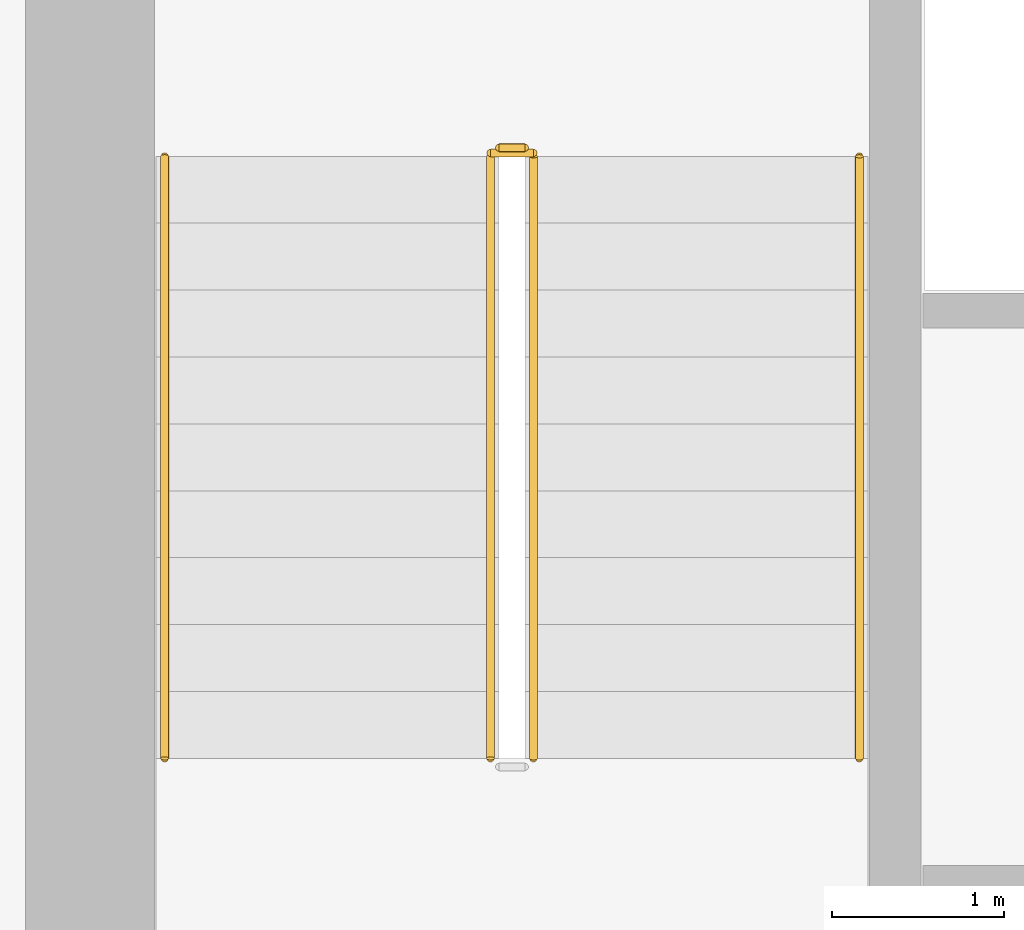
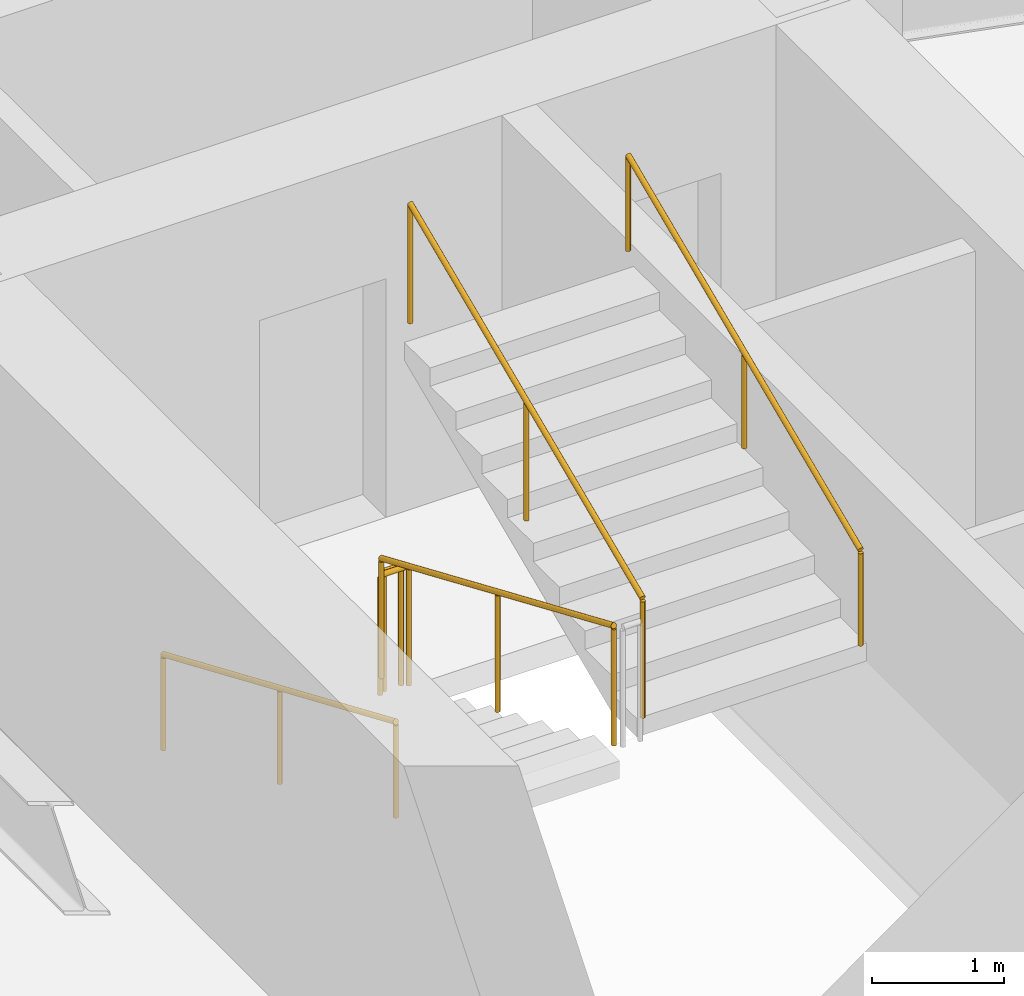
# One storey, part 36 of 39: 6 railings.
"""IFC4 building model written with IfcOpenShell, lengths in metres."""

from ifc_helpers import new_model, si_unit, direction, frame, origin, origin_2d, place, context, subcontext, project, spatial, circle, extrude, material, layer, layer_set, type_object, element, save


model = new_model("IFC4")

# Units and contexts
model_context = context("Model", 3, precision=1e-05, world=origin(), true_north=direction((0.0, 1.0)))
body_context = subcontext(model_context, "Body", "Model", "MODEL_VIEW")
ifc_project = project(units=[si_unit("LENGTHUNIT", "METRE"), si_unit("AREAUNIT", "SQUARE_METRE"), si_unit("VOLUMEUNIT", "CUBIC_METRE"), si_unit("PLANEANGLEUNIT", "RADIAN"), si_unit("MASSUNIT", "GRAM", prefix="KILO")], contexts=[model_context])

# Site, building, storey
site_placement = place(None, origin())
site = spatial("IfcSite", under=ifc_project, at=site_placement, CompositionType="ELEMENT")
building_placement = place(site_placement, origin())
building = spatial("IfcBuilding", under=site, at=building_placement, Name="Hatsunagi Terrace Concourse", CompositionType="ELEMENT")
storey_placement = place(building_placement, frame((0.0, 0.0, 66.75)))
storey = spatial("IfcBuildingStorey", under=building, at=storey_placement, Name="L17", CompositionType="ELEMENT", Elevation=66.75)

# Railings
ifc_material_1 = material(Name="Stainless steel", Category="steel")
ifc_layer_1 = layer(ifc_material_1, 0.044921875)
ifc_layer_set_1 = layer_set([ifc_layer_1], Name="StairPitchHandrail_Tower2000")
railing_type_1 = type_object("IfcRailingType", Name="StairPitchHandrail_Tower2000", PredefinedType="HANDRAIL", material=ifc_layer_set_1)
railing_1_placement = place(storey_placement, frame((36.550048828125, 32.659912109375, 0.16748046875)))
element("IfcRailing", 1, at=railing_1_placement, inside=storey, type_object=railing_type_1, Name="L17 ST-B stair handrail 1", PredefinedType="HANDRAIL", context=body_context, shape_type="SweptSolid", body=[
    extrude(circle(Radius=0.02392578125, at=origin_2d()), frame((0.0, 0.0, 0.8759765625), z_axis=(0.0, -0.918834009242, 0.394644223904), x_axis=(1.0, 0.0, 0.0)), (0.0, 0.0, 1.0), 3.820068359375),
    extrude(circle(Radius=0.02099609375, at=origin_2d()), origin(), (0.0, 0.0, 1.0), 0.851806640625),
    extrude(circle(Radius=0.02099609375, at=origin_2d()), frame((0.0, -1.7548828125, 0.75390625)), (0.0, 0.0, 1.0), 0.851806640625),
    extrude(circle(Radius=0.02099609375, at=origin_2d()), frame((0.0, -3.510009765625, 1.507568359375)), (0.0, 0.0, 1.0), 0.851806640625),
])
railing_2_placement = place(storey_placement, frame((40.60009765625, 29.14990234375, 1.842529296875)))
element("IfcRailing", 2, at=railing_2_placement, inside=storey, type_object=railing_type_1, Name="L17 ST-B stair handrail 2", PredefinedType="HANDRAIL", context=body_context, shape_type="SweptSolid", body=[
    extrude(circle(Radius=0.02392578125, at=origin_2d()), frame((0.0, 0.0, 0.8759765625), z_axis=(0.0, 0.918834009242, 0.394644223904), x_axis=(-1.0, 0.0, 0.0)), (0.0, 0.0, 1.0), 3.820068359375),
    extrude(circle(Radius=0.02099609375, at=origin_2d()), origin(), (0.0, 0.0, 1.0), 0.851806640625),
    extrude(circle(Radius=0.02099609375, at=origin_2d()), frame((0.0, 1.7548828125, 0.75390625)), (0.0, 0.0, 1.0), 0.851806640625),
    extrude(circle(Radius=0.02099609375, at=origin_2d()), frame((0.0, 3.510009765625, 1.507568359375)), (0.0, 0.0, 1.0), 0.851806640625),
])
ifc_material_2 = material(Name="Stainless steel", Category="steel")
ifc_layer_2 = layer(ifc_material_2, 0.06005859375)
ifc_layer_set_2 = layer_set([ifc_layer_2], Name="StairWellGuard_Tower2000")
railing_type_2 = type_object("IfcRailingType", Name="StairWellGuard_Tower2000", PredefinedType="BALUSTRADE", material=ifc_layer_set_2)
railing_3_placement = place(storey_placement, frame((38.449951171875, 32.659912109375, 0.16748046875)))
element("IfcRailing", 3, at=railing_3_placement, inside=storey, type_object=railing_type_2, Name="L17 ST-B stair guard 1", PredefinedType="BALUSTRADE", context=body_context, shape_type="SweptSolid", body=[
    extrude(circle(Radius=0.02392578125, at=origin_2d()), frame((0.0, 0.0, 1.09619140625), z_axis=(0.0, -0.918834009242, 0.394644223904), x_axis=(1.0, 0.0, 0.0)), (0.0, 0.0, 1.0), 3.820068359375),
    extrude(circle(Radius=0.02099609375, at=origin_2d()), origin(), (0.0, 0.0, 1.0), 1.072021484375),
    extrude(circle(Radius=0.02099609375, at=origin_2d()), frame((0.0, -1.7548828125, 0.75390625)), (0.0, 0.0, 1.0), 1.072021484375),
    extrude(circle(Radius=0.02099609375, at=origin_2d()), frame((0.0, -3.510009765625, 1.507568359375)), (0.0, 0.0, 1.0), 1.072021484375),
])
railing_4_placement = place(storey_placement, frame((38.699951171875, 29.14990234375, 1.842529296875)))
element("IfcRailing", 4, at=railing_4_placement, inside=storey, type_object=railing_type_2, Name="L17 ST-B stair guard 3", PredefinedType="BALUSTRADE", context=body_context, shape_type="SweptSolid", body=[
    extrude(circle(Radius=0.02392578125, at=origin_2d()), frame((0.0, 0.0, 1.09619140625), z_axis=(0.0, 0.918834009242, 0.394644223904), x_axis=(-1.0, 0.0, 0.0)), (0.0, 0.0, 1.0), 3.820068359375),
    extrude(circle(Radius=0.02099609375, at=origin_2d()), origin(), (0.0, 0.0, 1.0), 1.072021484375),
    extrude(circle(Radius=0.02099609375, at=origin_2d()), frame((0.0, 1.7548828125, 0.75390625)), (0.0, 0.0, 1.0), 1.072021484375),
    extrude(circle(Radius=0.02099609375, at=origin_2d()), frame((0.0, 3.510009765625, 1.507568359375)), (0.0, 0.0, 1.0), 1.072021484375),
])
railing_5_placement = place(storey_placement, frame((38.5, 32.7099609375, 0.0)))
element("IfcRailing", 5, at=railing_5_placement, inside=storey, type_object=railing_type_2, Name="L17 ST-B stair guard 4", PredefinedType="BALUSTRADE", context=body_context, shape_type="SweptSolid", body=[
    extrude(circle(Radius=0.02392578125, at=origin_2d()), frame((0.0, 0.0, 1.09619140625), z_axis=(1.0, 0.0, 0.0), x_axis=(0.0, 1.0, 0.0)), (0.0, 0.0, 1.0), 0.14990234375),
    extrude(circle(Radius=0.02099609375, at=origin_2d()), origin(), (0.0, 0.0, 1.0), 1.072021484375),
    extrude(circle(Radius=0.02099609375, at=origin_2d()), frame((0.14990234375, 0.0, 0.0)), (0.0, 0.0, 1.0), 1.072021484375),
])
ifc_material_3 = material(Name="Stainless Steel SUS316 Post-and-Rail Guard", Category="steel")
ifc_layer_3 = layer(ifc_material_3, 0.080078125)
ifc_layer_set_3 = layer_set([ifc_layer_3], Name="TerracePlantedGuardRail_1200")
railing_type_3 = type_object("IfcRailingType", Name="TerracePlantedGuardRail_1200", PredefinedType="GUARDRAIL", material=ifc_layer_set_3)
railing_6_placement = place(storey_placement, frame((38.449951171875, 32.679931640625, 0.0)))
element("IfcRailing", 6, at=railing_6_placement, inside=storey, type_object=railing_type_3, Name="Stair ST-B Well Closure Guard L17", PredefinedType="GUARDRAIL", context=body_context, shape_type="SweptSolid", body=[
    extrude(circle(Radius=0.02392578125, at=origin_2d()), frame((0.0, 0.0, 1.09619140625), z_axis=(1.0, 0.0, 0.0), x_axis=(0.0, 1.0, 0.0)), (0.0, 0.0, 1.0), 0.25),
    extrude(circle(Radius=0.02099609375, at=origin_2d()), origin(), (0.0, 0.0, 1.0), 1.072021484375),
    extrude(circle(Radius=0.02099609375, at=origin_2d()), frame((0.25, 0.0, 0.0)), (0.0, 0.0, 1.0), 1.072021484375),
])

save(model, "model.ifc")
